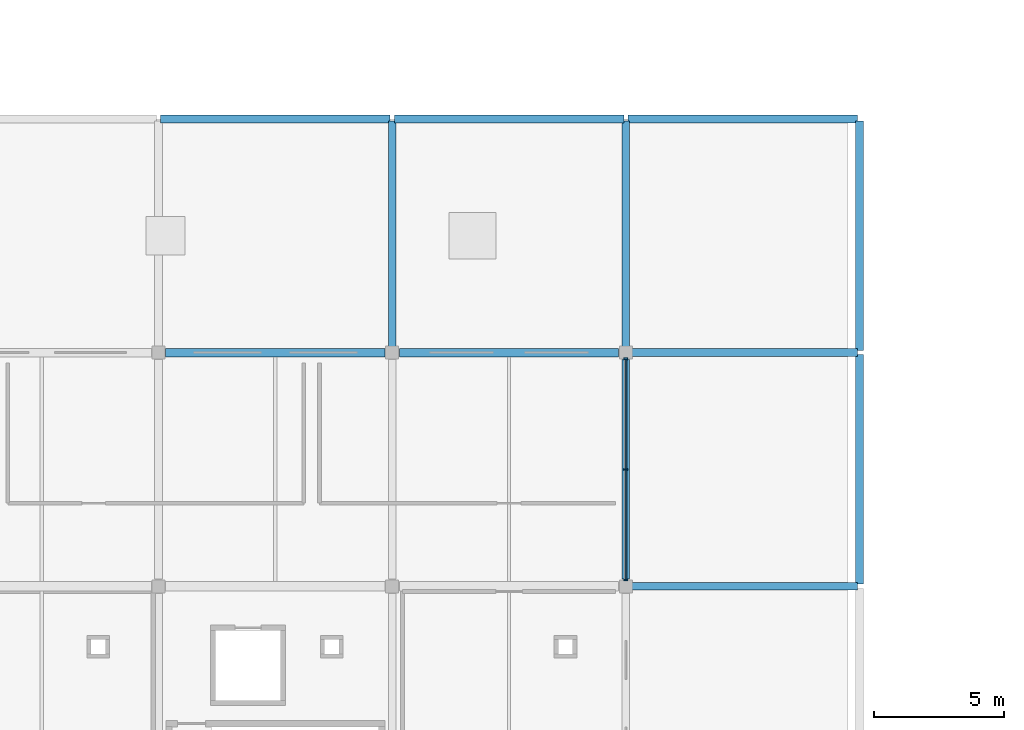
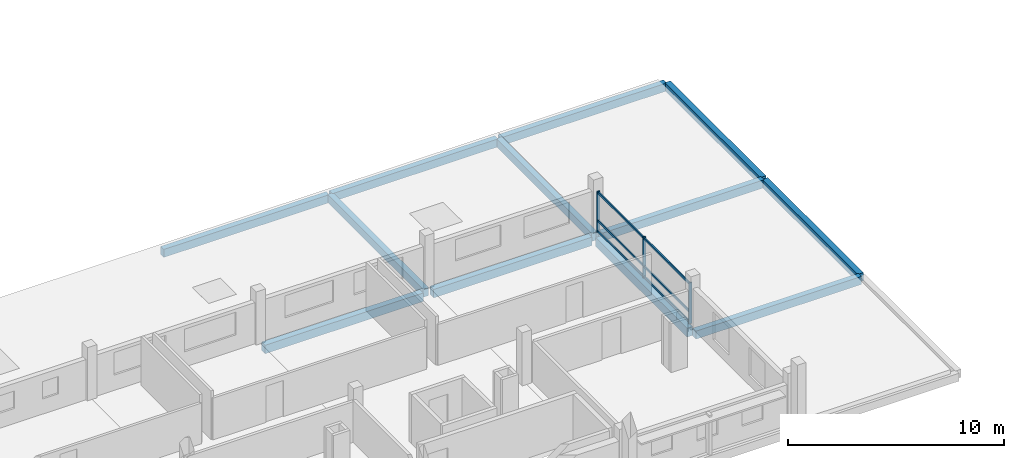
# One storey, part 9 of 25: 12 beams, 9 members, 1 element without a shape of its own.
"""IFC4 building model written with IfcOpenShell, lengths in metres."""

from ifc_helpers import new_model, si_unit, direction, frame, origin, origin_2d, place, context, subcontext, project, spatial, rectangle, extrude, material, material_profile, profile_set, type_object, element, aggregate, save


model = new_model("IFC4")

# Units and contexts
model_context = context("Model", 3, precision=1e-05, world=origin(), true_north=direction((0.0, 1.0)))
body_context = subcontext(model_context, "Body", "Model", "MODEL_VIEW")
ifc_project = project(units=[si_unit("LENGTHUNIT", "METRE"), si_unit("AREAUNIT", "SQUARE_METRE"), si_unit("VOLUMEUNIT", "CUBIC_METRE"), si_unit("PLANEANGLEUNIT", "RADIAN"), si_unit("MASSUNIT", "GRAM", prefix="KILO")], contexts=[model_context])

# Site, building, storey
site_placement = place(None, origin())
site = spatial("IfcSite", under=ifc_project, at=site_placement, CompositionType="ELEMENT")
building_placement = place(site_placement, origin())
building = spatial("IfcBuilding", under=site, at=building_placement, Name="Tharagai Park Tramway Depot", CompositionType="ELEMENT")
storey_placement = place(building_placement, frame((0.0, 0.0, 12.0)))
storey = spatial("IfcBuildingStorey", under=building, at=storey_placement, Name="L03", CompositionType="ELEMENT", Elevation=12.0)

# Beams
ifc_material_1 = material(Name="Concrete M35", Category="concrete")
ifc_material_profile_1 = material_profile(ifc_material_1, rectangle(XDim=0.300048828125, YDim=0.449951171875, at=origin_2d()), Name="RC 300x450")
ifc_profile_set_1 = profile_set([ifc_material_profile_1], Name="Concrete M35")
beam_type_1 = type_object("IfcBeamType", Name="BM-14", PredefinedType="BEAM", material=ifc_profile_set_1)
for number, where, z_axis, x_axis, name in (
    (1, (81.0, 18.080078125, -0.465087890625), (0.0, 1.0, 0.0), (-1.0, 0.0, 0.0), "L03 Roof Support Beam BM-14"),
    (2, (90.0, 9.080078125, -0.465087890625), (0.0, 1.0, 0.0), (-1.0, 0.0, 0.0), "L03 Roof Support Beam BM-14"),
    (3, (90.0, 18.080078125, -0.465087890625), (0.0, 1.0, 0.0), (-1.0, 0.0, 0.0), "L03 Roof Support Beam BM-14"),
    (4, (81.080078125, 9.0, -0.465087890625), (1.0, 0.0, 0.0), (0.0, 1.0, 0.0), "L03 Roof Support Beam BM-14"),
    (5, (81.080078125, 18.0, -0.465087890625), (1.0, 0.0, 0.0), (0.0, 1.0, 0.0), "L03 Roof Support Beam BM-14"),
    (6, (81.080078125, 27.0, -0.465087890625), (1.0, 0.0, 0.0), (0.0, 1.0, 0.0), "L03 Roof Support Beam BM-14"),
    (7, (72.0, 18.080078125, -0.465087890625), (0.0, 1.0, 0.0), (-1.0, 0.0, 0.0), "L03 Roof Support Beam BM-14"),
    (8, (63.080078125, 27.0, -0.465087890625), (1.0, 0.0, 0.0), (0.0, 1.0, 0.0), "L03 Roof Support Beam BM-14"),
    (9, (72.080078125, 27.0, -0.465087890625), (1.0, 0.0, 0.0), (0.0, 1.0, 0.0), "L03 Roof Support Beam BM-14"),
):
    element("IfcBeam", number, at=place(storey_placement, frame(where, z_axis=z_axis, x_axis=x_axis)), inside=storey, type_object=beam_type_1, Name=name, PredefinedType="BEAM", context=body_context, shape_type="SweptSolid", body=[
        extrude(rectangle(XDim=0.300048828125, YDim=0.449951171875, at=origin_2d()), origin(), (0.0, 0.0, 1.0), 8.83984375),
    ])

# Curtain wall, members
ifc_material_2 = material(Name="Anodised aluminium", Category="aluminium")
curtain_wall_type = type_object("IfcCurtainWallType", Name="CW-07", PredefinedType="NOTDEFINED", material=ifc_material_2)
curtain_wall_placement = place(storey_placement, origin())
curtain_wall = element("IfcCurtainWall", 10, at=curtain_wall_placement, inside=storey, type_object=curtain_wall_type, Name="L03 V4 Side Mullioned Curtain Wall CW-07", PredefinedType="NOTDEFINED")
ifc_material_profile_2 = material_profile(ifc_material_2, rectangle(XDim=0.06494140625, YDim=0.1201171875, at=origin_2d()), Name="ALU 65x120")
ifc_profile_set_2 = profile_set([ifc_material_profile_2], Name="Anodised aluminium")
member_type_1 = type_object("IfcMemberType", Name="CM-01", PredefinedType="USERDEFINED", material=ifc_profile_set_2)
member_1_placement = place(storey_placement, frame((81.0, 9.2548828125, 0.06005859375), z_axis=(0.0, 1.0, 0.0), x_axis=(-1.0, 0.0, 0.0)))
member_1 = element("IfcMember", 11, at=member_1_placement, type_object=member_type_1, Name="L03 V4 Side Mullioned Curtain Wall Transom 1.1", ObjectType="TRANSOM", PredefinedType="USERDEFINED", context=body_context, shape_type="SweptSolid", body=[
    extrude(rectangle(XDim=0.06494140625, YDim=0.1201171875, at=origin_2d()), origin(), (0.0, 0.0, 1.0), 4.230224609375),
])
member_2_placement = place(storey_placement, frame((81.0, 9.2548828125, 0.64990234375), z_axis=(0.0, 1.0, 0.0), x_axis=(-1.0, 0.0, 0.0)))
member_2 = element("IfcMember", 12, at=member_2_placement, type_object=member_type_1, Name="L03 V4 Side Mullioned Curtain Wall Transom 1.2", ObjectType="TRANSOM", PredefinedType="USERDEFINED", context=body_context, shape_type="SweptSolid", body=[
    extrude(rectangle(XDim=0.06494140625, YDim=0.1201171875, at=origin_2d()), origin(), (0.0, 0.0, 1.0), 4.230224609375),
])
member_3_placement = place(storey_placement, frame((81.0, 9.2548828125, 2.22998046875), z_axis=(0.0, 1.0, 0.0), x_axis=(-1.0, 0.0, 0.0)))
member_3 = element("IfcMember", 13, at=member_3_placement, type_object=member_type_1, Name="L03 V4 Side Mullioned Curtain Wall Transom 1.3", ObjectType="TRANSOM", PredefinedType="USERDEFINED", context=body_context, shape_type="SweptSolid", body=[
    extrude(rectangle(XDim=0.06494140625, YDim=0.1201171875, at=origin_2d()), origin(), (0.0, 0.0, 1.0), 4.230224609375),
])
member_4_placement = place(storey_placement, frame((81.0, 13.514892578125, 0.06005859375), z_axis=(0.0, 1.0, 0.0), x_axis=(-1.0, 0.0, 0.0)))
member_4 = element("IfcMember", 14, at=member_4_placement, type_object=member_type_1, Name="L03 V4 Side Mullioned Curtain Wall Transom 2.1", ObjectType="TRANSOM", PredefinedType="USERDEFINED", context=body_context, shape_type="SweptSolid", body=[
    extrude(rectangle(XDim=0.06494140625, YDim=0.1201171875, at=origin_2d()), origin(), (0.0, 0.0, 1.0), 4.230224609375),
])
member_5_placement = place(storey_placement, frame((81.0, 13.514892578125, 0.64990234375), z_axis=(0.0, 1.0, 0.0), x_axis=(-1.0, 0.0, 0.0)))
member_5 = element("IfcMember", 15, at=member_5_placement, type_object=member_type_1, Name="L03 V4 Side Mullioned Curtain Wall Transom 2.2", ObjectType="TRANSOM", PredefinedType="USERDEFINED", context=body_context, shape_type="SweptSolid", body=[
    extrude(rectangle(XDim=0.06494140625, YDim=0.1201171875, at=origin_2d()), origin(), (0.0, 0.0, 1.0), 4.230224609375),
])
member_6_placement = place(storey_placement, frame((81.0, 13.514892578125, 2.22998046875), z_axis=(0.0, 1.0, 0.0), x_axis=(-1.0, 0.0, 0.0)))
member_6 = element("IfcMember", 16, at=member_6_placement, type_object=member_type_1, Name="L03 V4 Side Mullioned Curtain Wall Transom 2.3", ObjectType="TRANSOM", PredefinedType="USERDEFINED", context=body_context, shape_type="SweptSolid", body=[
    extrude(rectangle(XDim=0.06494140625, YDim=0.1201171875, at=origin_2d()), origin(), (0.0, 0.0, 1.0), 4.230224609375),
])
ifc_material_profile_3 = material_profile(ifc_material_2, rectangle(XDim=0.06494140625, YDim=0.14990234375, at=origin_2d()), Name="ALU 65x150")
ifc_profile_set_3 = profile_set([ifc_material_profile_3], Name="Anodised aluminium")
member_type_2 = type_object("IfcMemberType", Name="CM-03", PredefinedType="MULLION", material=ifc_profile_set_3)
member_7_placement = place(storey_placement, frame((81.0, 9.239990234375, -0.0048828125), z_axis=(0.0, 0.0, 1.0), x_axis=(0.0, 1.0, 0.0)))
member_7 = element("IfcMember", 17, at=member_7_placement, type_object=member_type_2, Name="L03 V4 Side Mullioned Curtain Wall Mullion 1", PredefinedType="MULLION", context=body_context, shape_type="SweptSolid", body=[
    extrude(rectangle(XDim=0.06494140625, YDim=0.14990234375, at=origin_2d()), origin(), (0.0, 0.0, 1.0), 2.31982421875),
])
member_8_placement = place(storey_placement, frame((81.0, 13.5, -0.0048828125), z_axis=(0.0, 0.0, 1.0), x_axis=(0.0, 1.0, 0.0)))
member_8 = element("IfcMember", 18, at=member_8_placement, type_object=member_type_2, Name="L03 V4 Side Mullioned Curtain Wall Mullion 2", PredefinedType="MULLION", context=body_context, shape_type="SweptSolid", body=[
    extrude(rectangle(XDim=0.06494140625, YDim=0.14990234375, at=origin_2d()), origin(), (0.0, 0.0, 1.0), 2.31982421875),
])
member_9_placement = place(storey_placement, frame((81.0, 17.760009765625, -0.0048828125), z_axis=(0.0, 0.0, 1.0), x_axis=(0.0, 1.0, 0.0)))
member_9 = element("IfcMember", 19, at=member_9_placement, type_object=member_type_2, Name="L03 V4 Side Mullioned Curtain Wall Mullion 3", PredefinedType="MULLION", context=body_context, shape_type="SweptSolid", body=[
    extrude(rectangle(XDim=0.06494140625, YDim=0.14990234375, at=origin_2d()), origin(), (0.0, 0.0, 1.0), 2.31982421875),
])
aggregate(curtain_wall, [member_7, member_8, member_9, member_1, member_2, member_3, member_4, member_5, member_6])

# Beams
ifc_material_profile_4 = material_profile(ifc_material_1, rectangle(XDim=0.300048828125, YDim=0.5, at=origin_2d()), Name="RC 300x500")
ifc_profile_set_4 = profile_set([ifc_material_profile_4], Name="Concrete M35")
beam_type_2 = type_object("IfcBeamType", Name="SP-03", PredefinedType="SPANDREL", material=ifc_profile_set_4)
beam_placement = place(storey_placement, frame((81.0, 9.27490234375, -0.5), z_axis=(0.0, 1.0, 0.0), x_axis=(-1.0, 0.0, 0.0)))
element("IfcBeam", 20, at=beam_placement, inside=storey, type_object=beam_type_2, Name="L03 Grid Beam SP-03", PredefinedType="SPANDREL", context=body_context, shape_type="SweptSolid", body=[
    extrude(rectangle(XDim=0.300048828125, YDim=0.5, at=origin_2d()), origin(), (0.0, 0.0, 1.0), 8.4501953125),
])
ifc_material_profile_5 = material_profile(ifc_material_1, rectangle(XDim=0.320068359375, YDim=0.47998046875, at=origin_2d()), Name="RC 320x480")
ifc_profile_set_5 = profile_set([ifc_material_profile_5], Name="Concrete M35")
beam_type_3 = type_object("IfcBeamType", Name="SP-05", PredefinedType="SPANDREL", material=ifc_profile_set_5)
for number, where, z_axis, x_axis, name in (
    (21, (63.27490234375, 18.0, -0.489990234375), (1.0, 0.0, 0.0), (0.0, 1.0, 0.0), "L03 Grid Beam SP-05"),
    (22, (72.27490234375, 18.0, -0.489990234375), (1.0, 0.0, 0.0), (0.0, 1.0, 0.0), "L03 Grid Beam SP-05"),
):
    element("IfcBeam", number, at=place(storey_placement, frame(where, z_axis=z_axis, x_axis=x_axis)), inside=storey, type_object=beam_type_3, Name=name, PredefinedType="SPANDREL", context=body_context, shape_type="SweptSolid", body=[
        extrude(rectangle(XDim=0.320068359375, YDim=0.47998046875, at=origin_2d()), origin(), (0.0, 0.0, 1.0), 8.4501953125),
    ])

save(model, "model.ifc")
